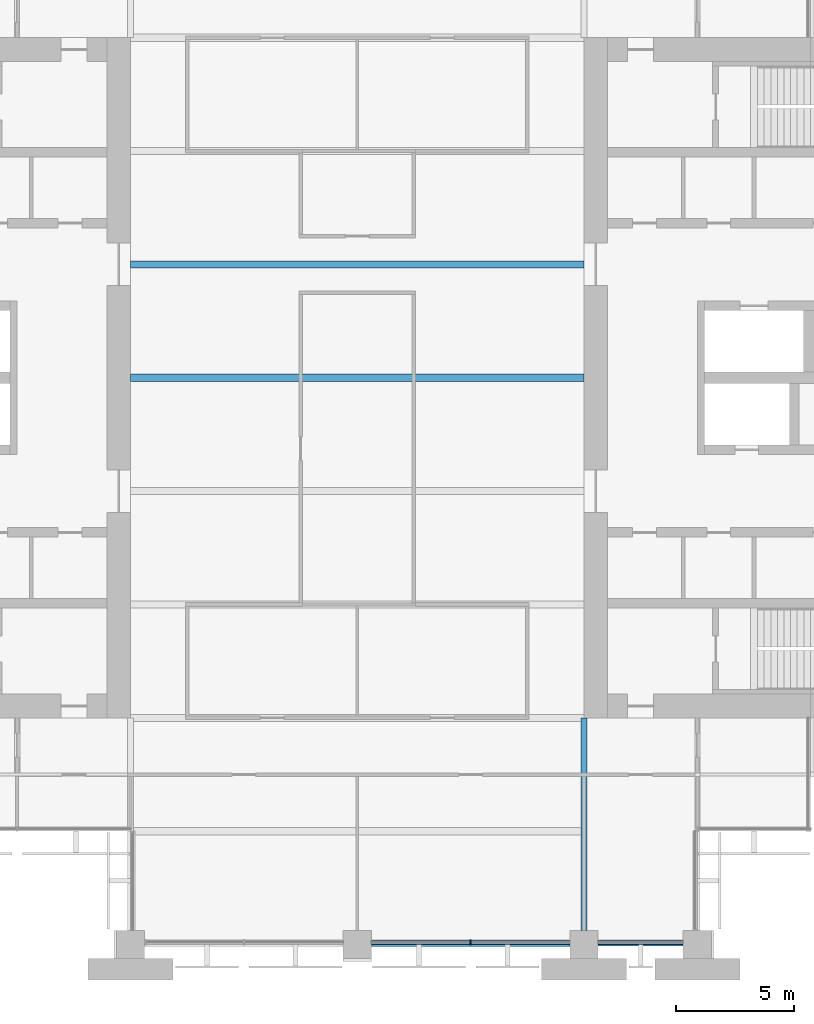
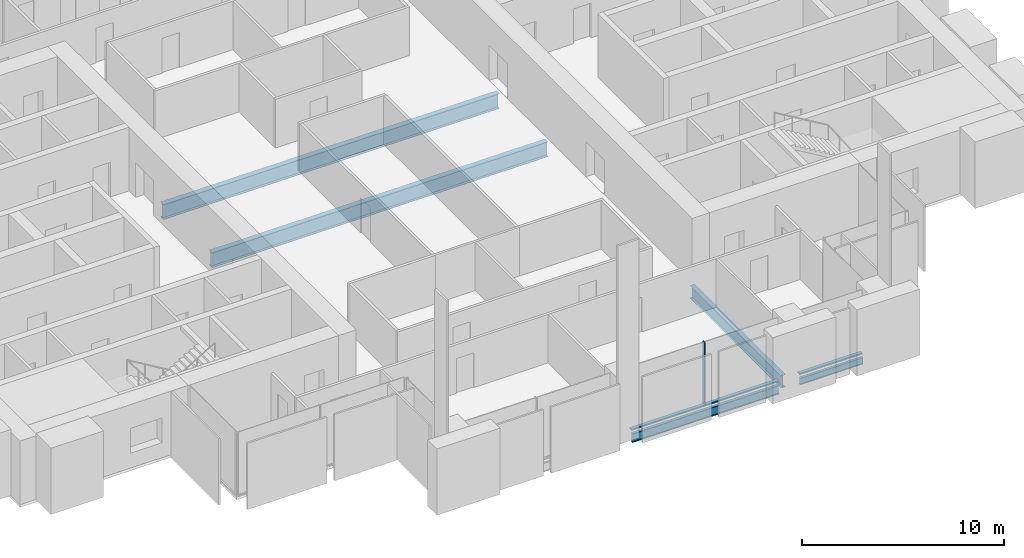
# One storey, part 3 of 14: 5 beams, 3 members, 1 element without a shape of its own.
"""IFC4 building model written with IfcOpenShell, lengths in metres."""

from ifc_helpers import new_model, si_unit, direction, frame, origin, origin_2d, place, context, subcontext, project, spatial, rectangle, i_section, extrude, material, material_profile, profile_set, type_object, element, aggregate, save


model = new_model("IFC4")

# Units and contexts
model_context = context("Model", 3, precision=1e-05, world=origin(), true_north=direction((0.0, 1.0)))
body_context = subcontext(model_context, "Body", "Model", "MODEL_VIEW")
ifc_project = project(units=[si_unit("LENGTHUNIT", "METRE"), si_unit("AREAUNIT", "SQUARE_METRE"), si_unit("VOLUMEUNIT", "CUBIC_METRE"), si_unit("PLANEANGLEUNIT", "RADIAN"), si_unit("MASSUNIT", "GRAM", prefix="KILO")], contexts=[model_context])

# Site, building, storey
site_placement = place(None, origin())
site = spatial("IfcSite", under=ifc_project, at=site_placement, CompositionType="ELEMENT")
building_placement = place(site_placement, origin())
building = spatial("IfcBuilding", under=site, at=building_placement, Name="Baori Bourse Tower", CompositionType="ELEMENT")
storey_placement = place(building_placement, frame((0.0, 0.0, 156.10009765625)))
storey = spatial("IfcBuildingStorey", under=building, at=storey_placement, Name="L34", CompositionType="ELEMENT", Elevation=156.10009765625)

# Curtain wall, members
ifc_material_1 = material(Name="Pale anodised aluminium", Category="aluminium")
curtain_wall_type = type_object("IfcCurtainWallType", Name="CW1 Curtain wall", PredefinedType="NOTDEFINED", material=ifc_material_1)
curtain_wall_placement = place(storey_placement, origin())
curtain_wall = element("IfcCurtainWall", 1, at=curtain_wall_placement, inside=storey, type_object=curtain_wall_type, Name="Curtain wall CW1 L34 11", PredefinedType="NOTDEFINED")
ifc_material_2 = material(Name="Pale anodised aluminium", Category="aluminium")
ifc_material_profile_1 = material_profile(ifc_material_2, rectangle(XDim=0.199951171875, YDim=0.06005859375, at=origin_2d()), Name="Mullion 60x200")
ifc_profile_set_1 = profile_set([ifc_material_profile_1], Name="Pale anodised aluminium")
member_type_1 = type_object("IfcMemberType", Name="CW1 Curtain wall mullion", PredefinedType="MULLION", material=ifc_profile_set_1)
member_1_placement = place(storey_placement, frame((33.60009765625, 0.10009765625, 0.079833984375), z_axis=(0.0, 0.0, 1.0), x_axis=(0.0, 1.0, 0.0)))
member_1 = element("IfcMember", 2, at=member_1_placement, type_object=member_type_1, Name="Curtain wall CW1 mullion", PredefinedType="MULLION", context=body_context, shape_type="SweptSolid", body=[
    extrude(rectangle(XDim=0.199951171875, YDim=0.06005859375, at=origin_2d()), origin(), (0.0, 0.0, 1.0), 3.760009765625),
])
ifc_material_3 = material(Name="Pale anodised aluminium", Category="aluminium")
ifc_material_profile_2 = material_profile(ifc_material_3, rectangle(XDim=0.199951171875, YDim=0.080078125, at=origin_2d()), Name="Transom 80x200")
ifc_profile_set_2 = profile_set([ifc_material_profile_2], Name="Pale anodised aluminium")
member_type_2 = type_object("IfcMemberType", Name="CW1 Curtain wall transom", PredefinedType="USERDEFINED", material=ifc_profile_set_2)
member_2_placement = place(storey_placement, frame((29.39990234375, 0.10009765625, 0.039794921875), z_axis=(1.0, 0.0, 0.0), x_axis=(0.0, 1.0, 0.0)))
member_2 = element("IfcMember", 3, at=member_2_placement, type_object=member_type_2, Name="Curtain wall CW1 sill rail", ObjectType="TRANSOM", PredefinedType="USERDEFINED", context=body_context, shape_type="SweptSolid", body=[
    extrude(rectangle(XDim=0.199951171875, YDim=0.080078125, at=origin_2d()), origin(), (0.0, 0.0, 1.0), 8.400146484375),
])
member_3_placement = place(storey_placement, frame((39.0, 0.10009765625, 0.039794921875), z_axis=(1.0, 0.0, 0.0), x_axis=(0.0, 1.0, 0.0)))
member_3 = element("IfcMember", 4, at=member_3_placement, type_object=member_type_2, Name="Curtain wall CW1 sill rail", ObjectType="TRANSOM", PredefinedType="USERDEFINED", context=body_context, shape_type="SweptSolid", body=[
    extrude(rectangle(XDim=0.199951171875, YDim=0.080078125, at=origin_2d()), origin(), (0.0, 0.0, 1.0), 3.60009765625),
])
aggregate(curtain_wall, [member_2, member_1, member_3])

# Beams
ifc_material_4 = material(Name="Steel A992 Gr 50", Category="steel")
ifc_material_profile_3 = material_profile(ifc_material_4, i_section(OverallWidth=0.140380859375, OverallDepth=0.40380859375, WebThickness=0.007080078125, FlangeThickness=0.01123046875, at=origin_2d()), Name="W16x31")
ifc_profile_set_3 = profile_set([ifc_material_profile_3], Name="Steel A992 Gr 50")
beam_type_1 = type_object("IfcBeamType", Name="Edge beam W16x31", PredefinedType="BEAM", material=ifc_profile_set_3)
beam_1_placement = place(storey_placement, frame((39.0, 0.0, -0.362060546875), z_axis=(1.0, 0.0, 0.0), x_axis=(0.0, 1.0, 0.0)))
element("IfcBeam", 5, at=beam_1_placement, inside=storey, type_object=beam_type_1, Name="Edge beam L34", PredefinedType="BEAM", context=body_context, shape_type="SweptSolid", body=[
    extrude(i_section(OverallWidth=0.140380859375, OverallDepth=0.40380859375, WebThickness=0.007080078125, FlangeThickness=0.01123046875, at=origin_2d()), origin(), (0.0, 0.0, 1.0), 3.60009765625),
])
ifc_material_5 = material(Name="Steel A992 Gr 50", Category="steel")
ifc_material_profile_4 = material_profile(ifc_material_5, i_section(OverallWidth=0.1650390625, OverallDepth=0.52587890625, WebThickness=0.0087890625, FlangeThickness=0.011474609375, at=origin_2d()), Name="W21x44")
ifc_profile_set_4 = profile_set([ifc_material_profile_4], Name="Steel A992 Gr 50")
beam_type_2 = type_object("IfcBeamType", Name="Edge beam W21x44", PredefinedType="BEAM", material=ifc_profile_set_4)
beam_2_placement = place(storey_placement, frame((29.39990234375, 0.0, -0.423095703125), z_axis=(1.0, 0.0, 0.0), x_axis=(0.0, 1.0, 0.0)))
element("IfcBeam", 6, at=beam_2_placement, inside=storey, type_object=beam_type_2, Name="Edge beam L34", PredefinedType="BEAM", context=body_context, shape_type="SweptSolid", body=[
    extrude(i_section(OverallWidth=0.1650390625, OverallDepth=0.52587890625, WebThickness=0.0087890625, FlangeThickness=0.011474609375, at=origin_2d()), origin(), (0.0, 0.0, 1.0), 8.400146484375),
])
ifc_material_6 = material(Name="Steel A992 Gr 50", Category="steel")
ifc_material_profile_5 = material_profile(ifc_material_6, i_section(OverallWidth=0.3046875, OverallDepth=0.904296875, WebThickness=0.01513671875, FlangeThickness=0.02001953125, at=origin_2d()), Name="W36x135")
ifc_profile_set_5 = profile_set([ifc_material_profile_5], Name="Steel A992 Gr 50")
beam_type_3 = type_object("IfcBeamType", Name="Floor beam W36x135", PredefinedType="BEAM", material=ifc_profile_set_5)
for number, where, z_axis, x_axis, name in (
    (7, (19.199951171875, 24.0, -0.6123046875), (1.0, 0.0, 0.0), (0.0, 1.0, 0.0), "Floor beam L34"),
    (8, (19.199951171875, 28.800048828125, -0.6123046875), (1.0, 0.0, 0.0), (0.0, 1.0, 0.0), "Floor beam L34"),
):
    element("IfcBeam", number, at=place(storey_placement, frame(where, z_axis=z_axis, x_axis=x_axis)), inside=storey, type_object=beam_type_3, Name=name, PredefinedType="BEAM", context=body_context, shape_type="SweptSolid", body=[
        extrude(i_section(OverallWidth=0.3046875, OverallDepth=0.904296875, WebThickness=0.01513671875, FlangeThickness=0.02001953125, at=origin_2d()), origin(), (0.0, 0.0, 1.0), 19.199951171875),
    ])
ifc_material_7 = material(Name="Steel A992 Gr 50", Category="steel")
ifc_material_profile_6 = material_profile(ifc_material_7, i_section(OverallWidth=0.26416015625, OverallDepth=0.749267578125, WebThickness=0.011962890625, FlangeThickness=0.015380859375, at=origin_2d()), Name="W30x90")
ifc_profile_set_6 = profile_set([ifc_material_profile_6], Name="Steel A992 Gr 50")
beam_type_4 = type_object("IfcBeamType", Name="Girder W30x90", PredefinedType="BEAM", material=ifc_profile_set_6)
beam_3_placement = place(storey_placement, frame((38.39990234375, 0.60009765625, -0.53466796875), z_axis=(0.0, 1.0, 0.0), x_axis=(-1.0, 0.0, 0.0)))
element("IfcBeam", 9, at=beam_3_placement, inside=storey, type_object=beam_type_4, Name="Girder L34", PredefinedType="BEAM", context=body_context, shape_type="SweptSolid", body=[
    extrude(i_section(OverallWidth=0.26416015625, OverallDepth=0.749267578125, WebThickness=0.011962890625, FlangeThickness=0.015380859375, at=origin_2d()), origin(), (0.0, 0.0, 1.0), 9.0),
])

save(model, "model.ifc")
